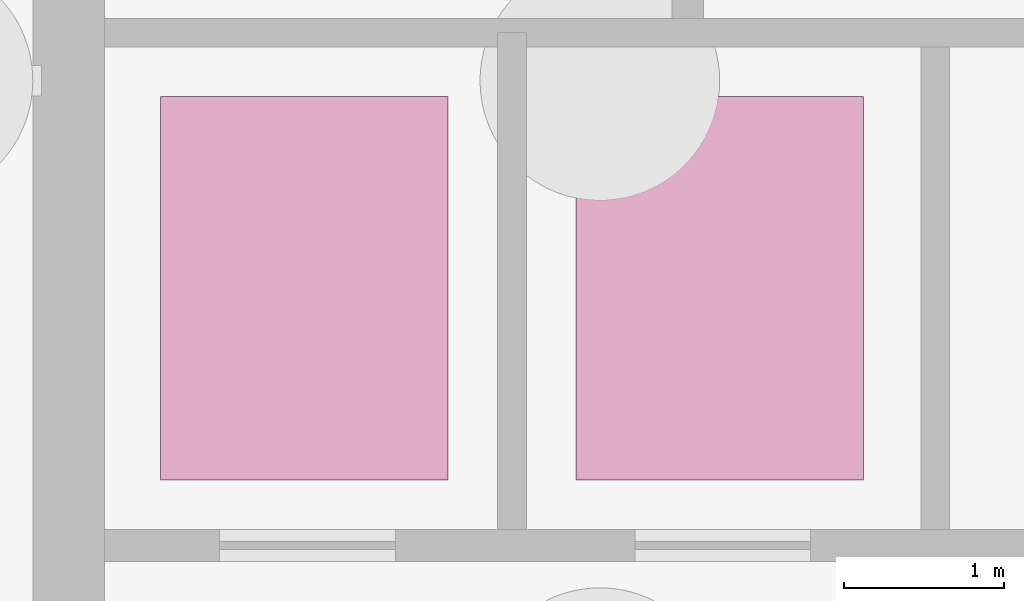
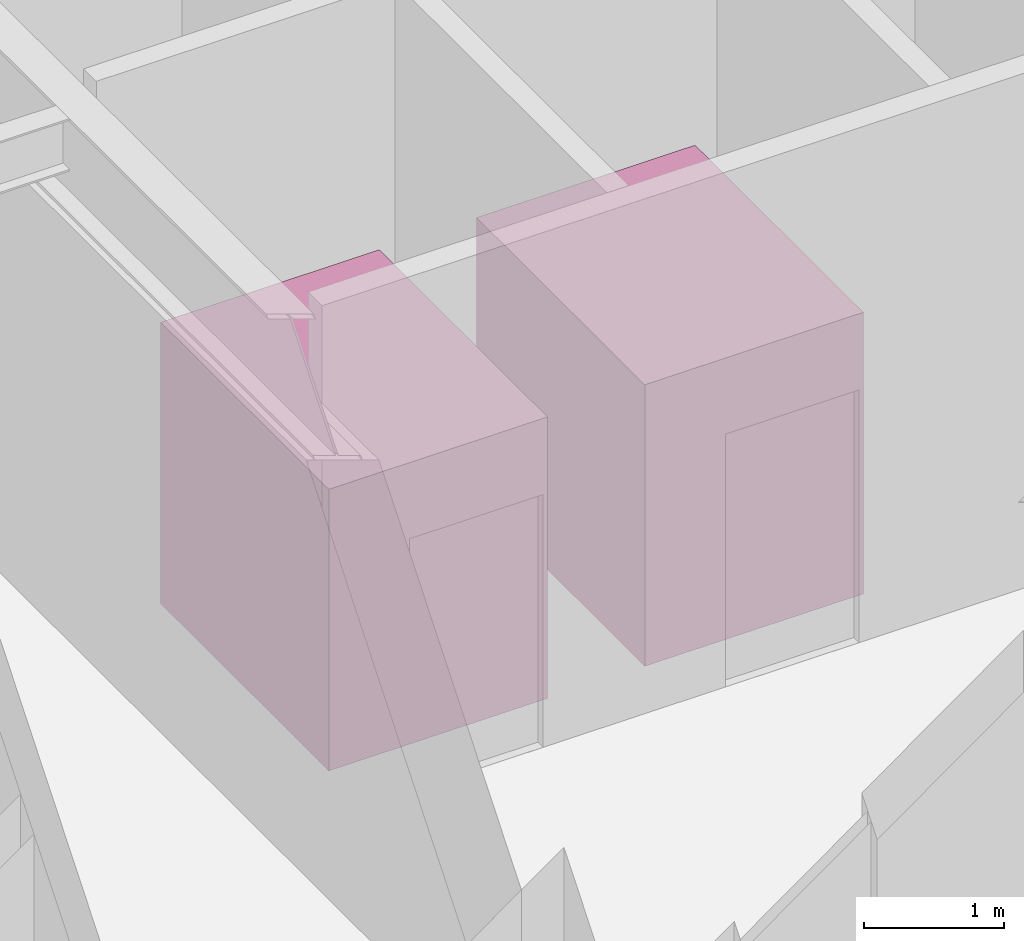
# One storey, part 13 of 13: 2 transport elements.
"""IFC4 building model written with IfcOpenShell, lengths in metres."""

import ifcopenshell
import ifcopenshell.guid

model = None  # the IFC model being written
_history = None  # IfcOwnerHistory: only IFC2X3 demands one
_inside = {}  # id of a spatial element -> (the spatial element, [elements in it])
_under = {}  # id of a project, library or spatial element -> (it, [spatial elements below it])
_declared = {}  # id of a project -> (the project, [libraries it declares])
_typed = {}  # id of a type object -> (the type object, [elements of that type])
_made_of = {}  # id of a material, layer set ... -> (it, [elements and type objects made of it])


def new_model(schema):
    """Start an empty IFC model of exactly this schema.

    Asked for "IFC4X3", IfcOpenShell would pick the latest addendum, in which some entities
    have other attributes; the version numbers below select the first issue.
    IFC2X3 requires an IfcOwnerHistory on every rooted entity: one is made here for all.
    """
    global model, _history
    if schema == "IFC4X3":
        model = ifcopenshell.file(schema_version=(4, 3, 0, 0))
    else:
        model = ifcopenshell.file(schema=schema)
    _inside.clear()
    _under.clear()
    _declared.clear()
    _typed.clear()
    _made_of.clear()
    _history = None
    if model.schema == "IFC2X3":
        org = make("IfcOrganization", Name="unknown")
        user = make(
            "IfcPersonAndOrganization",
            ThePerson=make("IfcPerson", FamilyName="unknown"),
            TheOrganization=org,
        )
        app = make(
            "IfcApplication",
            ApplicationDeveloper=org,
            Version="unknown",
            ApplicationFullName="unknown",
            ApplicationIdentifier="unknown",
        )
        _history = make(
            "IfcOwnerHistory",
            OwningUser=user,
            OwningApplication=app,
            ChangeAction="ADDED",
            CreationDate=0,
        )
    return model


def make(cls, **values):
    """One entity of the class cls with the attributes given. An attribute that is None is left unset."""
    return model.create_entity(
        cls, **{name: value for name, value in values.items() if value is not None}
    )


def rooted(cls, **values):
    """An entity with a GlobalId (a new one), such as an element, a storey or a relation."""
    return make(cls, GlobalId=ifcopenshell.guid.new(), OwnerHistory=_history, **values)


def si_unit(unit_type, name, prefix=None):
    """IfcSIUnit, for example si_unit("LENGTHUNIT", "METRE", prefix="MILLI")."""
    return make("IfcSIUnit", UnitType=unit_type, Prefix=prefix, Name=name)


def assignment(units):
    """IfcUnitAssignment: the units of a project."""
    return None if units is None else make("IfcUnitAssignment", Units=units)


def point(xyz):
    """IfcCartesianPoint."""
    return None if xyz is None else make("IfcCartesianPoint", Coordinates=xyz)


def direction(xyz):
    """IfcDirection."""
    return None if xyz is None else make("IfcDirection", DirectionRatios=xyz)


def frame(location, z_axis=None, x_axis=None):
    """IfcAxis2Placement3D, a coordinate frame: its origin and axes. An axis left out is left unset."""
    return make(
        "IfcAxis2Placement3D",
        Location=point(location),
        Axis=direction(z_axis),
        RefDirection=direction(x_axis),
    )


def frame_2d(location, x_axis=None):
    """IfcAxis2Placement2D, a coordinate frame in the plane: its origin and x axis."""
    return make(
        "IfcAxis2Placement2D", Location=point(location), RefDirection=direction(x_axis)
    )


def origin():
    """The frame at (0, 0, 0) with its axes left unset."""
    return frame((0.0, 0.0, 0.0))


def origin_2d():
    """The frame at (0, 0) in the plane with its x axis left unset."""
    return frame_2d((0.0, 0.0))


def place(relative_to, where):
    """IfcLocalPlacement: puts the frame where relative to a parent placement (None: the world)."""
    return make(
        "IfcLocalPlacement", PlacementRelTo=relative_to, RelativePlacement=where
    )


def context(
    kind, dimensions, precision=None, world=None, true_north=None, identifier=None
):
    """IfcGeometricRepresentationContext, for example the 3D "Model" context."""
    return make(
        "IfcGeometricRepresentationContext",
        ContextIdentifier=identifier,
        ContextType=kind,
        CoordinateSpaceDimension=dimensions,
        Precision=precision,
        WorldCoordinateSystem=world,
        TrueNorth=true_north,
    )


def subcontext(parent, identifier, kind, view, scale=None):
    """IfcGeometricRepresentationSubContext, for example "Body" below "Model"."""
    return make(
        "IfcGeometricRepresentationSubContext",
        ContextIdentifier=identifier,
        ContextType=kind,
        ParentContext=parent,
        TargetScale=scale,
        TargetView=view,
    )


def project(units=None, contexts=None):
    """IfcProject with its units and contexts."""
    return rooted(
        "IfcProject",
        Name="project",
        RepresentationContexts=contexts,
        UnitsInContext=assignment(units),
    )


def spatial(cls, under=None, at=None, **own):
    """A site, building, storey or space (cls), placed at a placement, below another one or the project."""
    s = rooted(cls, ObjectPlacement=at, **own)
    if under is not None:
        _under.setdefault(under.id(), (under, []))[1].append(s)
    return s


def profile(cls, at=None, kind="AREA", **sizes):
    """A parametric profile (cls). Its sizes go by their IFC names, for example OverallWidth=200.0."""
    return make(cls, ProfileType=kind, Position=at, **sizes)


def rectangle(**sizes):
    """IfcRectangleProfileDef."""
    return profile("IfcRectangleProfileDef", **sizes)


def extrude(swept, where, along, depth):
    """IfcExtrudedAreaSolid: the profile swept, set in the frame where, extruded along a direction by depth."""
    return make(
        "IfcExtrudedAreaSolid",
        SweptArea=swept,
        Position=where,
        ExtrudedDirection=direction(along),
        Depth=depth,
    )


def shape(context_of_items, identifier, shape_type, items):
    """IfcShapeRepresentation: the items that make up one representation, for example the "Body"."""
    return make(
        "IfcShapeRepresentation",
        ContextOfItems=context_of_items,
        RepresentationIdentifier=identifier,
        RepresentationType=shape_type,
        Items=items,
    )


def material(Name=None, Category=None):
    """IfcMaterial."""
    return make("IfcMaterial", Name=Name, Category=Category)


def made_of(thing, what):
    """Note that an element or type object is made of a material, layer set ...; save() writes the relation."""
    if what is not None:
        _made_of.setdefault(what.id(), (what, []))[1].append(thing)
    return thing


def type_object(cls, material=None, **own):
    """A type object (cls), such as IfcWallType, which elements share."""
    return made_of(rooted(cls, **own), material)


def element(
    cls,
    number,
    at=None,
    inside=None,
    cuts=None,
    type_object=None,
    material=None,
    context=None,
    identifier="Body",
    shape_type=None,
    held_by="IfcProductDefinitionShape",
    body=None,
    shapes=None,
    **own,
):
    """One element of the class cls, such as IfcWall. Its Tag is "e" and its number.

    at: its placement. inside: the storey or other place that contains it. cuts: it is an
    opening in that element (IfcRelVoidsElement). A single representation is given by context,
    identifier, shape_type and body (its items); several are given by shapes. held_by: the class
    of the entity that holds the representations. save() writes the other relations.
    """
    e = rooted(cls, Tag="e%d" % number, ObjectPlacement=at, **own)
    if body is not None:
        shapes = [shape(context, identifier, shape_type, body)]
    if shapes is not None:
        e.Representation = make(held_by, Representations=shapes)
    if inside is not None:
        _inside.setdefault(inside.id(), (inside, []))[1].append(e)
    if cuts is not None:
        rooted(
            "IfcRelVoidsElement", RelatingBuildingElement=cuts, RelatedOpeningElement=e
        )
    if type_object is not None:
        _typed.setdefault(type_object.id(), (type_object, []))[1].append(e)
    return made_of(e, material)


def aggregate(whole, parts):
    """IfcRelAggregates: a whole, such as a stair, and the parts it consists of."""
    return rooted("IfcRelAggregates", RelatingObject=whole, RelatedObjects=parts)


def save(model, path):
    """Write the relations noted so far, then the file.

    IfcRelAggregates (storeys below a building ...), IfcRelContainedInSpatialStructure (elements
    in a storey), IfcRelDefinesByType, IfcRelAssociatesMaterial and IfcRelDeclares: one each for
    every whole, place, type object, material and project.
    """
    for whole, parts in _under.values():
        aggregate(whole, parts)
    for where, things in _inside.values():
        rooted(
            "IfcRelContainedInSpatialStructure",
            RelatedElements=things,
            RelatingStructure=where,
        )
    for kind, things in _typed.values():
        rooted("IfcRelDefinesByType", RelatedObjects=things, RelatingType=kind)
    for what, things in _made_of.values():
        rooted("IfcRelAssociatesMaterial", RelatedObjects=things, RelatingMaterial=what)
    for by, libraries in _declared.values():
        rooted("IfcRelDeclares", RelatingContext=by, RelatedDefinitions=libraries)
    model.write(path)


model = new_model("IFC4")

# Units and contexts
model_context = context("Model", 3, precision=1e-05, world=origin(), true_north=direction((0.0, 1.0)))
body_context = subcontext(model_context, "Body", "Model", "MODEL_VIEW")
ifc_project = project(units=[si_unit("LENGTHUNIT", "METRE"), si_unit("AREAUNIT", "SQUARE_METRE"), si_unit("VOLUMEUNIT", "CUBIC_METRE"), si_unit("PLANEANGLEUNIT", "RADIAN"), si_unit("MASSUNIT", "GRAM", prefix="KILO")], contexts=[model_context])

# Site, building, storey
site_placement = place(None, origin())
site = spatial("IfcSite", under=ifc_project, at=site_placement, CompositionType="ELEMENT")
building_placement = place(site_placement, origin())
building = spatial("IfcBuilding", under=site, at=building_placement, Name="Ochreholt Gables", CompositionType="ELEMENT")
storey_placement = place(building_placement, frame((0.0, 0.0, -9.60009765625)))
storey = spatial("IfcBuildingStorey", under=building, at=storey_placement, Name="B2", CompositionType="ELEMENT", Elevation=-9.60009765625)

# Transport elements
ifc_material = material(Name="Stainless Steel Stretcher Elevator Car", Category="steel")
transport_element_type = type_object("IfcTransportElementType", Name="LFT-FF-2045", PredefinedType="ELEVATOR", material=ifc_material)
for number, where, z_axis, x_axis, name in (
    (1, (25.699951171875, 22.699951171875, 0.0), (0.0, 0.0, 1.0), (1.0, 0.0, 0.0), "Elevator Car LF-FF1"),
    (2, (28.300048828125, 22.699951171875, 0.0), (0.0, 0.0, 1.0), (1.0, 0.0, 0.0), "Elevator Car LF-FF2"),
):
    element("IfcTransportElement", number, at=place(storey_placement, frame(where, z_axis=z_axis, x_axis=x_axis)), inside=storey, type_object=transport_element_type, Name=name, PredefinedType="ELEVATOR", context=body_context, shape_type="SweptSolid", body=[
        extrude(rectangle(XDim=1.800048828125, YDim=2.39990234375, at=origin_2d()), origin(), (0.0, 0.0, 1.0), 2.449951171875),
    ])

save(model, "model.ifc")
